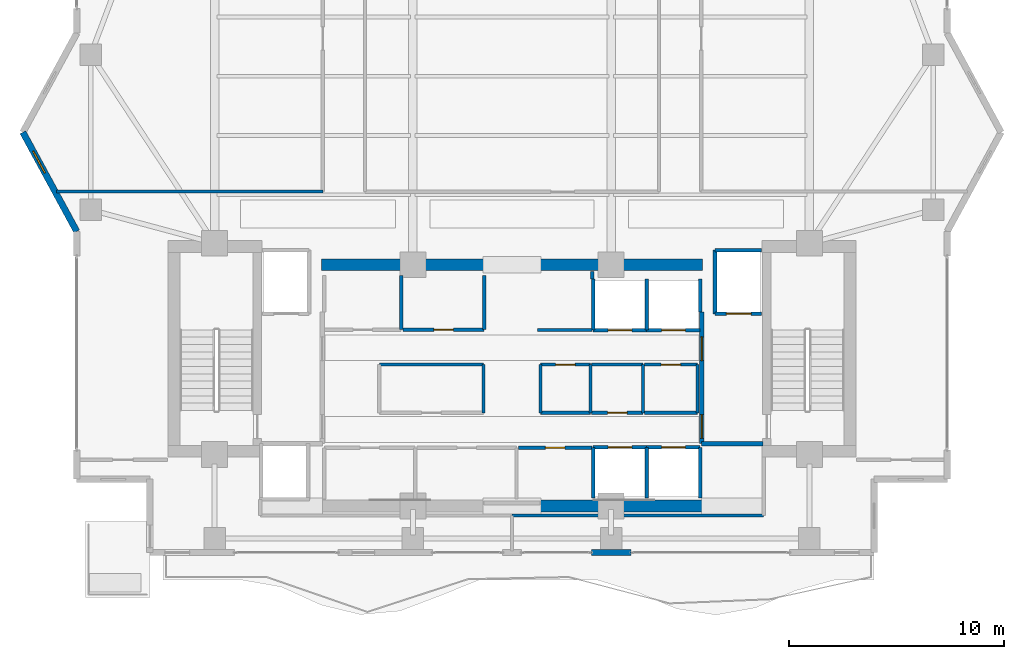
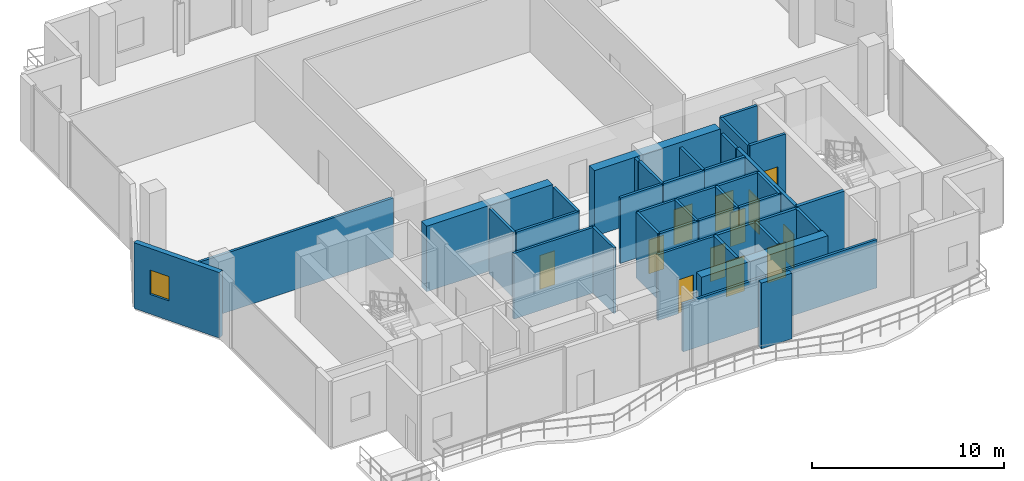
# One storey, part 19 of 24: 40 walls, 12 doors, 1 window, 13 openings.
"""IFC4 building model written with IfcOpenShell, lengths in metres."""

from ifc_helpers import new_model, si_unit, direction, frame, frame_2d, origin, place, context, subcontext, project, spatial, rectangle, extrude, material, layer, layer_set, type_object, element, fill, save


model = new_model("IFC4")

# Units and contexts
model_context = context("Model", 3, precision=1e-05, world=origin(), true_north=direction((0.0, 1.0)))
body_context = subcontext(model_context, "Body", "Model", "MODEL_VIEW")
ifc_project = project(units=[si_unit("LENGTHUNIT", "METRE"), si_unit("AREAUNIT", "SQUARE_METRE"), si_unit("VOLUMEUNIT", "CUBIC_METRE"), si_unit("PLANEANGLEUNIT", "RADIAN"), si_unit("MASSUNIT", "GRAM", prefix="KILO")], contexts=[model_context])

# Site, building, storey
site_placement = place(None, origin())
site = spatial("IfcSite", under=ifc_project, at=site_placement, CompositionType="ELEMENT")
building_placement = place(site_placement, origin())
building = spatial("IfcBuilding", under=site, at=building_placement, Name="Zuhayl Quay Hotel", CompositionType="ELEMENT")
storey_placement = place(building_placement, frame((0.0, 0.0, 284.050048828125)))
storey = spatial("IfcBuildingStorey", under=building, at=storey_placement, Name="L72", CompositionType="ELEMENT", Elevation=284.050048828125)

# Walls
ifc_material_1 = material(Name="Concrete C50/60", Category="concrete")
ifc_layer_1 = layer(ifc_material_1, 0.550048828125, Name="Concrete C50/60", Category="concrete")
ifc_layer_set_1 = layer_set([ifc_layer_1], Name="Concrete C50/60")
wall_type_1 = type_object("IfcWallType", Name="WL_CORE_550", PredefinedType="SHEAR", material=ifc_layer_set_1)
for number, where, z_axis, x_axis, name in (
    (1, (1.25, 2.14990234375, 0.0), (0.0, 0.0, 1.0), (1.0, 0.0, 0.0), "L72 Core Shear Wall CW_SC_E"),
    (2, (-8.85009765625, 13.35009765625, 0.0), (0.0, 0.0, 1.0), (1.0, 0.0, 0.0), "L72 Core Shear Wall CW_NC_W"),
    (3, (1.25, 13.35009765625, 0.0), (0.0, 0.0, 1.0), (1.0, 0.0, 0.0), "L72 Core Shear Wall CW_NC_E"),
):
    element("IfcWall", number, at=place(storey_placement, frame(where, z_axis=z_axis, x_axis=x_axis)), inside=storey, type_object=wall_type_1, Name=name, PredefinedType="SHEAR", context=body_context, shape_type="SweptSolid", body=[
        extrude(rectangle(XDim=7.60009765625, YDim=0.550048828125, at=frame_2d((3.800048828125, 0.0))), origin(), (0.0, 0.0, 1.0), 4.179931640625),
    ])

# Wall, opening, window
ifc_material_2 = material(Name="Precast concrete C45/55", Category="concrete")
ifc_layer_2 = layer(ifc_material_2, 0.300048828125, Name="Precast concrete C45/55", Category="concrete")
ifc_layer_set_2 = layer_set([ifc_layer_2], Name="Precast concrete C45/55")
wall_type_2 = type_object("IfcWallType", Name="WL_EXT_300", PredefinedType="STANDARD", material=ifc_layer_set_2)
wall_1_placement = place(storey_placement, frame((-20.199951171875, 14.89990234375, 0.0), z_axis=(0.0, 0.0, 1.0), x_axis=(-0.477505494629, 0.878628762675, 0.0)))
wall_1 = element("IfcWall", 4, at=wall_1_placement, inside=storey, type_object=wall_type_2, Name="L72 Exterior Precast Wall ENV_L72_EW03", PredefinedType="STANDARD", context=body_context, shape_type="SweptSolid", body=[
    extrude(rectangle(XDim=5.235595703125, YDim=0.300048828125, at=frame_2d((2.61767578125, 0.0))), origin(), (0.0, 0.0, 1.0), 4.179931640625),
])
opening_1_placement = place(wall_1_placement, frame((3.09130859375, 0.0, 1.25)))
opening_1 = element("IfcOpeningElement", 5, at=opening_1_placement, cuts=wall_1, Name="Opening W01N", PredefinedType="OPENING", context=body_context, shape_type="SweptSolid", body=[
    extrude(rectangle(XDim=1.14990234375, YDim=1.550048828125, at=frame_2d((0.574951171875, 0.77490234375))), frame((0.0, 0.159912109375, 0.0), z_axis=(0.0, -1.0, 0.0), x_axis=(1.0, 0.0, 0.0)), (0.0, 0.0, 1.0), 0.320068359375),
])
ifc_material_3 = material(Name="Dark Ceramic-Fritted Solar Glass", Category="glass")
window_type = type_object("IfcWindowType", Name="WN_NOTCH_1350", PartitioningType="SINGLE_PANEL", PredefinedType="WINDOW", material=ifc_material_3)
window_placement = place(opening_1_placement, origin())
window = element("IfcWindow", 6, at=window_placement, inside=storey, type_object=window_type, Name="L72 Corner Notch Window 3", OverallHeight=1.550048828125, OverallWidth=1.14990234375, PartitioningType="SINGLE_PANEL", PredefinedType="WINDOW", context=body_context, shape_type="SweptSolid", body=[
    extrude(rectangle(XDim=1.14990234375, YDim=1.550048828125, at=frame_2d((0.574951171875, 0.77490234375))), frame((0.0, 0.030029296875, 0.0), z_axis=(0.0, -1.0, 0.0), x_axis=(1.0, 0.0, 0.0)), (0.0, 0.0, 1.0), 0.06005859375),
])
fill(opening_1, window)

# Wall
wall_2_placement = place(storey_placement, frame((5.52001953125, 0.0, 0.0), z_axis=(0.0, 0.0, 1.0), x_axis=(-1.0, 0.0, 0.0)))
element("IfcWall", 7, at=wall_2_placement, inside=storey, type_object=wall_type_2, Name="L72 Exterior Precast Wall ENV_L72_S_EW2", PredefinedType="STANDARD", context=body_context, shape_type="SweptSolid", body=[
    extrude(rectangle(XDim=1.840087890625, YDim=0.300048828125, at=frame_2d((0.919921875, 0.0))), origin(), (0.0, 0.0, 1.0), 4.179931640625),
])

# Wall, opening, door
ifc_material_4 = material(Name="Acoustic Gypsum Partition STC-58")
ifc_layer_3 = layer(ifc_material_4, 0.14990234375, Name="Acoustic Gypsum Partition STC-58")
ifc_layer_set_3 = layer_set([ifc_layer_3], Name="Acoustic Gypsum Partition STC-58")
wall_type_3 = type_object("IfcWallType", Name="WL_PART_150", PredefinedType="PARTITIONING", material=ifc_layer_set_3)
wall_3_placement = place(storey_placement, frame((0.2900390625, 4.860107421875, 0.0), z_axis=(0.0, 0.0, 1.0), x_axis=(1.0, 0.0, 0.0)))
wall_3 = element("IfcWall", 8, at=wall_3_placement, inside=storey, type_object=wall_type_3, Name="L72 Partition IW_L72_FMP_S3_N", PredefinedType="PARTITIONING", context=body_context, shape_type="SweptSolid", body=[
    extrude(rectangle(XDim=3.419921875, YDim=0.14990234375, at=frame_2d((1.7099609375, 0.0))), origin(), (0.0, 0.0, 1.0), 4.179931640625),
])
opening_2_placement = place(wall_3_placement, frame((1.260009765625, 0.0, 0.0)))
opening_2 = element("IfcOpeningElement", 9, at=opening_2_placement, cuts=wall_3, Name="Opening D06", PredefinedType="OPENING", context=body_context, shape_type="SweptSolid", body=[
    extrude(rectangle(XDim=0.89990234375, YDim=2.14990234375, at=frame_2d((0.449951171875, 1.074951171875))), frame((0.0, 0.0849609375, 0.0), z_axis=(0.0, -1.0, 0.0), x_axis=(1.0, 0.0, 0.0)), (0.0, 0.0, 1.0), 0.169921875),
])
ifc_material_5 = material(Name="Steel ASTM A992 Grade 50", Category="steel")
door_type_1 = type_object("IfcDoorType", Name="DR_INT_900", OperationType="NOTDEFINED", PredefinedType="DOOR", material=ifc_material_5)
door_1_placement = place(opening_2_placement, origin())
door_1 = element("IfcDoor", 10, at=door_1_placement, inside=storey, type_object=door_type_1, Name="L72 China Linen Store Door", OperationType="SINGLE_SWING_LEFT", OverallHeight=2.14990234375, OverallWidth=0.89990234375, PredefinedType="DOOR", context=body_context, shape_type="SweptSolid", body=[
    extrude(rectangle(XDim=0.89990234375, YDim=2.14990234375, at=frame_2d((0.449951171875, 1.074951171875))), frame((0.0, 0.02490234375, 0.0), z_axis=(0.0, -1.0, 0.0), x_axis=(1.0, 0.0, 0.0)), (0.0, 0.0, 1.0), 0.050048828125),
])
fill(opening_2, door_1)

wall_4_placement = place(storey_placement, frame((-5.06005859375, 10.340087890625, 0.0), z_axis=(0.0, 0.0, 1.0), x_axis=(1.0, 0.0, 0.0)))
wall_4 = element("IfcWall", 11, at=wall_4_placement, inside=storey, type_object=wall_type_3, Name="L72 Partition IW_L72_FMP_N2_S", PredefinedType="PARTITIONING", context=body_context, shape_type="SweptSolid", body=[
    extrude(rectangle(XDim=3.77001953125, YDim=0.14990234375, at=frame_2d((1.885009765625, 0.0))), origin(), (0.0, 0.0, 1.0), 4.179931640625),
])
opening_3_placement = place(wall_4_placement, frame((1.43505859375, 0.0, 0.0)))
opening_3 = element("IfcOpeningElement", 12, at=opening_3_placement, cuts=wall_4, Name="Opening D06", PredefinedType="OPENING", context=body_context, shape_type="SweptSolid", body=[
    extrude(rectangle(XDim=0.89990234375, YDim=2.14990234375, at=frame_2d((0.449951171875, 1.074951171875))), frame((0.0, 0.0849609375, 0.0), z_axis=(0.0, -1.0, 0.0), x_axis=(1.0, 0.0, 0.0)), (0.0, 0.0, 1.0), 0.169921875),
])
door_2_placement = place(opening_3_placement, origin())
door_2 = element("IfcDoor", 13, at=door_2_placement, inside=storey, type_object=door_type_1, Name="L72 High-Zone Linen Bay Door", OperationType="SINGLE_SWING_LEFT", OverallHeight=2.14990234375, OverallWidth=0.89990234375, PredefinedType="DOOR", context=body_context, shape_type="SweptSolid", body=[
    extrude(rectangle(XDim=0.89990234375, YDim=2.14990234375, at=frame_2d((0.449951171875, 1.074951171875))), frame((0.0, 0.02490234375, 0.0), z_axis=(0.0, -1.0, 0.0), x_axis=(1.0, 0.0, 0.0)), (0.0, 0.0, 1.0), 0.050048828125),
])
fill(opening_3, door_2)

wall_5_placement = place(storey_placement, frame((1.320068359375, 8.719970703125, 0.0), z_axis=(0.0, 0.0, 1.0), x_axis=(1.0, 0.0, 0.0)))
wall_5 = element("IfcWall", 14, at=wall_5_placement, inside=storey, type_object=wall_type_3, Name="L72 Partition IW_L72_CORE_E1_N", PredefinedType="PARTITIONING", context=body_context, shape_type="SweptSolid", body=[
    extrude(rectangle(XDim=2.31982421875, YDim=0.14990234375, at=frame_2d((1.159912109375, 0.0))), origin(), (0.0, 0.0, 1.0), 4.179931640625),
])
opening_4_placement = place(wall_5_placement, frame((0.7099609375, 0.0, 0.0)))
opening_4 = element("IfcOpeningElement", 15, at=opening_4_placement, cuts=wall_5, Name="Opening D06", PredefinedType="OPENING", context=body_context, shape_type="SweptSolid", body=[
    extrude(rectangle(XDim=0.89990234375, YDim=2.14990234375, at=frame_2d((0.449951171875, 1.074951171875))), frame((0.0, 0.0849609375, 0.0), z_axis=(0.0, -1.0, 0.0), x_axis=(1.0, 0.0, 0.0)), (0.0, 0.0, 1.0), 0.169921875),
])
door_3_placement = place(opening_4_placement, origin())
door_3 = element("IfcDoor", 16, at=door_3_placement, inside=storey, type_object=door_type_1, Name="L72 Floor Electrical Closet Door", OperationType="SINGLE_SWING_LEFT", OverallHeight=2.14990234375, OverallWidth=0.89990234375, PredefinedType="DOOR", context=body_context, shape_type="SweptSolid", body=[
    extrude(rectangle(XDim=0.89990234375, YDim=2.14990234375, at=frame_2d((0.449951171875, 1.074951171875))), frame((0.0, 0.02490234375, 0.0), z_axis=(0.0, -1.0, 0.0), x_axis=(1.0, 0.0, 0.0)), (0.0, 0.0, 1.0), 0.050048828125),
])
fill(opening_4, door_3)

wall_6_placement = place(storey_placement, frame((3.699951171875, 6.47998046875, 0.0), z_axis=(0.0, 0.0, 1.0), x_axis=(1.0, 0.0, 0.0)))
wall_6 = element("IfcWall", 17, at=wall_6_placement, inside=storey, type_object=wall_type_3, Name="L72 Partition IW_L72_CORE_E2_S", PredefinedType="PARTITIONING", context=body_context, shape_type="SweptSolid", body=[
    extrude(rectangle(XDim=2.380126953125, YDim=0.14990234375, at=frame_2d((1.18994140625, 0.0))), origin(), (0.0, 0.0, 1.0), 4.179931640625),
])
opening_5_placement = place(wall_6_placement, frame((0.739990234375, 0.0, 0.0)))
opening_5 = element("IfcOpeningElement", 18, at=opening_5_placement, cuts=wall_6, Name="Opening D06", PredefinedType="OPENING", context=body_context, shape_type="SweptSolid", body=[
    extrude(rectangle(XDim=0.89990234375, YDim=2.14990234375, at=frame_2d((0.449951171875, 1.074951171875))), frame((0.0, 0.0849609375, 0.0), z_axis=(0.0, -1.0, 0.0), x_axis=(1.0, 0.0, 0.0)), (0.0, 0.0, 1.0), 0.169921875),
])
door_4_placement = place(opening_5_placement, origin())
door_4 = element("IfcDoor", 19, at=door_4_placement, inside=storey, type_object=door_type_1, Name="L72 Data Closet Door", OperationType="SINGLE_SWING_RIGHT", OverallHeight=2.14990234375, OverallWidth=0.89990234375, PredefinedType="DOOR", context=body_context, shape_type="SweptSolid", body=[
    extrude(rectangle(XDim=0.89990234375, YDim=2.14990234375, at=frame_2d((0.449951171875, 1.074951171875))), frame((0.0, 0.02490234375, 0.0), z_axis=(0.0, -1.0, 0.0), x_axis=(1.0, 0.0, 0.0)), (0.0, 0.0, 1.0), 0.050048828125),
])
fill(opening_5, door_4)

wall_7_placement = place(storey_placement, frame((6.139892578125, 8.719970703125, 0.0), z_axis=(0.0, 0.0, 1.0), x_axis=(1.0, 0.0, 0.0)))
wall_7 = element("IfcWall", 20, at=wall_7_placement, inside=storey, type_object=wall_type_3, Name="L72 Partition IW_L72_CORE_E3_N", PredefinedType="PARTITIONING", context=body_context, shape_type="SweptSolid", body=[
    extrude(rectangle(XDim=2.47021484375, YDim=0.14990234375, at=frame_2d((1.235107421875, 0.0))), origin(), (0.0, 0.0, 1.0), 4.179931640625),
])
opening_6_placement = place(wall_7_placement, frame((0.784912109375, 0.0, 0.0)))
opening_6 = element("IfcOpeningElement", 21, at=opening_6_placement, cuts=wall_7, Name="Opening D06", PredefinedType="OPENING", context=body_context, shape_type="SweptSolid", body=[
    extrude(rectangle(XDim=0.89990234375, YDim=2.14990234375, at=frame_2d((0.449951171875, 1.074951171875))), frame((0.0, 0.0849609375, 0.0), z_axis=(0.0, -1.0, 0.0), x_axis=(1.0, 0.0, 0.0)), (0.0, 0.0, 1.0), 0.169921875),
])
door_5_placement = place(opening_6_placement, origin())
door_5 = element("IfcDoor", 22, at=door_5_placement, inside=storey, type_object=door_type_1, Name="L72 Janitor and Cleaners Store Door", OperationType="SINGLE_SWING_LEFT", OverallHeight=2.14990234375, OverallWidth=0.89990234375, PredefinedType="DOOR", context=body_context, shape_type="SweptSolid", body=[
    extrude(rectangle(XDim=0.89990234375, YDim=2.14990234375, at=frame_2d((0.449951171875, 1.074951171875))), frame((0.0, 0.02490234375, 0.0), z_axis=(0.0, -1.0, 0.0), x_axis=(1.0, 0.0, 0.0)), (0.0, 0.0, 1.0), 0.050048828125),
])
fill(opening_6, door_5)

# Walls
for number, where, z_axis, x_axis, name in (
    (23, (-5.139892578125, 10.340087890625, 0.0), (0.0, 0.0, 1.0), (0.0, 1.0, 0.0), "L72 Partition IW_L72_FMP_N1_E"),
    (24, (-1.2900390625, 10.340087890625, 0.0), (0.0, 0.0, 1.0), (0.0, 1.0, 0.0), "L72 Partition IW_L72_FMP_N2_E"),
):
    element("IfcWall", number, at=place(storey_placement, frame(where, z_axis=z_axis, x_axis=x_axis)), inside=storey, type_object=wall_type_3, Name=name, PredefinedType="PARTITIONING", context=body_context, shape_type="SweptSolid", body=[
        extrude(rectangle(XDim=2.52001953125, YDim=0.14990234375, at=frame_2d((1.260009765625, 0.0))), origin(), (0.0, 0.0, 1.0), 4.179931640625),
    ])
wall_8_placement = place(storey_placement, frame((-6.159912109375, 8.719970703125, 0.0), z_axis=(0.0, 0.0, 1.0), x_axis=(1.0, 0.0, 0.0)))
element("IfcWall", 25, at=wall_8_placement, inside=storey, type_object=wall_type_3, Name="L72 Partition IW_L72_CORE_SV_N", PredefinedType="PARTITIONING", context=body_context, shape_type="SweptSolid", body=[
    extrude(rectangle(XDim=4.83984375, YDim=0.14990234375, at=frame_2d((2.419921875, 0.0))), origin(), (0.0, 0.0, 1.0), 4.179931640625),
])
wall_9_placement = place(storey_placement, frame((-1.320068359375, 6.47998046875, 0.0), z_axis=(0.0, 0.0, 1.0), x_axis=(0.0, 1.0, 0.0)))
element("IfcWall", 26, at=wall_9_placement, inside=storey, type_object=wall_type_3, Name="L72 Partition IW_L72_CORE_SV_E", PredefinedType="PARTITIONING", context=body_context, shape_type="SweptSolid", body=[
    extrude(rectangle(XDim=2.239990234375, YDim=0.14990234375, at=frame_2d((1.1201171875, 0.0))), origin(), (0.0, 0.0, 1.0), 4.179931640625),
])
wall_10_placement = place(storey_placement, frame((1.320068359375, 6.47998046875, 0.0), z_axis=(0.0, 0.0, 1.0), x_axis=(1.0, 0.0, 0.0)))
element("IfcWall", 27, at=wall_10_placement, inside=storey, type_object=wall_type_3, Name="L72 Partition IW_L72_CORE_E1_S", PredefinedType="PARTITIONING", context=body_context, shape_type="SweptSolid", body=[
    extrude(rectangle(XDim=2.31982421875, YDim=0.14990234375, at=frame_2d((1.159912109375, 0.0))), origin(), (0.0, 0.0, 1.0), 4.179931640625),
])
for number, where, z_axis, x_axis, name in (
    (28, (1.320068359375, 6.47998046875, 0.0), (0.0, 0.0, 1.0), (0.0, 1.0, 0.0), "L72 Partition IW_L72_CORE_E1_W"),
    (29, (3.639892578125, 6.47998046875, 0.0), (0.0, 0.0, 1.0), (0.0, 1.0, 0.0), "L72 Partition IW_L72_CORE_E1_E"),
):
    element("IfcWall", number, at=place(storey_placement, frame(where, z_axis=z_axis, x_axis=x_axis)), inside=storey, type_object=wall_type_3, Name=name, PredefinedType="PARTITIONING", context=body_context, shape_type="SweptSolid", body=[
        extrude(rectangle(XDim=2.239990234375, YDim=0.14990234375, at=frame_2d((1.1201171875, 0.0))), origin(), (0.0, 0.0, 1.0), 4.179931640625),
    ])
wall_11_placement = place(storey_placement, frame((3.699951171875, 8.719970703125, 0.0), z_axis=(0.0, 0.0, 1.0), x_axis=(1.0, 0.0, 0.0)))
element("IfcWall", 30, at=wall_11_placement, inside=storey, type_object=wall_type_3, Name="L72 Partition IW_L72_CORE_E2_N", PredefinedType="PARTITIONING", context=body_context, shape_type="SweptSolid", body=[
    extrude(rectangle(XDim=2.380126953125, YDim=0.14990234375, at=frame_2d((1.18994140625, 0.0))), origin(), (0.0, 0.0, 1.0), 4.179931640625),
])
wall_12_placement = place(storey_placement, frame((6.080078125, 6.47998046875, 0.0), z_axis=(0.0, 0.0, 1.0), x_axis=(0.0, 1.0, 0.0)))
element("IfcWall", 31, at=wall_12_placement, inside=storey, type_object=wall_type_3, Name="L72 Partition IW_L72_CORE_E2_E", PredefinedType="PARTITIONING", context=body_context, shape_type="SweptSolid", body=[
    extrude(rectangle(XDim=2.239990234375, YDim=0.14990234375, at=frame_2d((1.1201171875, 0.0))), origin(), (0.0, 0.0, 1.0), 4.179931640625),
])
wall_13_placement = place(storey_placement, frame((6.139892578125, 6.47998046875, 0.0), z_axis=(0.0, 0.0, 1.0), x_axis=(1.0, 0.0, 0.0)))
element("IfcWall", 32, at=wall_13_placement, inside=storey, type_object=wall_type_3, Name="L72 Partition IW_L72_CORE_E3_S", PredefinedType="PARTITIONING", context=body_context, shape_type="SweptSolid", body=[
    extrude(rectangle(XDim=2.47021484375, YDim=0.14990234375, at=frame_2d((1.235107421875, 0.0))), origin(), (0.0, 0.0, 1.0), 4.179931640625),
])
wall_14_placement = place(storey_placement, frame((8.610107421875, 6.47998046875, 0.0), z_axis=(0.0, 0.0, 1.0), x_axis=(0.0, 1.0, 0.0)))
element("IfcWall", 33, at=wall_14_placement, inside=storey, type_object=wall_type_3, Name="L72 Partition IW_L72_CORE_E3_E", PredefinedType="PARTITIONING", context=body_context, shape_type="SweptSolid", body=[
    extrude(rectangle(XDim=2.239990234375, YDim=0.14990234375, at=frame_2d((1.1201171875, 0.0))), origin(), (0.0, 0.0, 1.0), 4.179931640625),
])
wall_15_placement = place(storey_placement, frame((1.179931640625, 10.320068359375, 0.0), z_axis=(0.0, 0.0, 1.0), x_axis=(1.0, 0.0, 0.0)))
element("IfcWall", 34, at=wall_15_placement, inside=storey, type_object=wall_type_3, Name="L72 Partition IW_L72_VEST_MP4_S", PredefinedType="PARTITIONING", context=body_context, shape_type="SweptSolid", body=[
    extrude(rectangle(XDim=2.5400390625, YDim=0.14990234375, at=frame_2d((1.27001953125, 0.0))), origin(), (0.0, 0.0, 1.0), 4.179931640625),
])
wall_16_placement = place(storey_placement, frame((3.719970703125, 12.679931640625, 0.0), z_axis=(0.0, 0.0, 1.0), x_axis=(0.0, 1.0, 0.0)))
element("IfcWall", 35, at=wall_16_placement, inside=storey, type_object=wall_type_3, Name="L72 Partition IW_L72_VEST_MP4_E", PredefinedType="PARTITIONING", context=body_context, shape_type="SweptSolid", body=[
    extrude(rectangle(XDim=0.3701171875, YDim=0.14990234375, at=frame_2d((0.18505859375, 0.0))), origin(), (0.0, 0.0, 1.0), 4.179931640625),
])
wall_17_placement = place(storey_placement, frame((0.0, 1.719970703125, 0.0), z_axis=(0.0, 0.0, 1.0), x_axis=(1.0, 0.0, 0.0)))
element("IfcWall", 36, at=wall_17_placement, inside=storey, type_object=wall_type_3, Name="L72 Partition IW_L72_Z4_SUN_SE_SN", PredefinedType="PARTITIONING", context=body_context, shape_type="SweptSolid", body=[
    extrude(rectangle(XDim=11.679931640625, YDim=0.14990234375, at=frame_2d((5.83984375, 0.0))), origin(), (0.0, 0.0, 1.0), 3.079833984375),
])
wall_18_placement = place(storey_placement, frame((-21.1455078125, 16.75, 0.0), z_axis=(0.0, 0.0, 1.0), x_axis=(1.0, 0.0, 0.0)))
element("IfcWall", 37, at=wall_18_placement, inside=storey, type_object=wall_type_3, Name="L72 Partition IW_L72_PRIV_DIN_W_S", PredefinedType="PARTITIONING", context=body_context, shape_type="SweptSolid", body=[
    extrude(rectangle(XDim=12.365478515625, YDim=0.14990234375, at=frame_2d((6.1826171875, 0.0))), origin(), (0.0, 0.0, 1.0), 3.77587890625),
])

# Wall, opening, door
ifc_material_6 = material(Name="Gypsum Fireboard Assembly EI-90")
ifc_layer_4 = layer(ifc_material_6, 0.1650390625, Name="Gypsum Fireboard Assembly EI-90")
ifc_layer_set_4 = layer_set([ifc_layer_4], Name="Gypsum Fireboard Assembly EI-90")
wall_type_4 = type_object("IfcWallType", Name="WL_PART_SHAFT_160", PredefinedType="PARTITIONING", material=ifc_layer_set_4)
wall_19_placement = place(storey_placement, frame((9.419921875, 11.070068359375, 0.0), z_axis=(0.0, 0.0, 1.0), x_axis=(1.0, 0.0, 0.0)))
wall_19 = element("IfcWall", 38, at=wall_19_placement, inside=storey, type_object=wall_type_4, Name="L72 Partition IW_L72_SH_FL2_F", PredefinedType="PARTITIONING", context=body_context, shape_type="SweptSolid", body=[
    extrude(rectangle(XDim=2.16015625, YDim=0.1650390625, at=frame_2d((1.080078125, 0.0))), origin(), (0.0, 0.0, 1.0), 4.179931640625),
])
opening_7_placement = place(wall_19_placement, frame((0.530029296875, 0.0, 0.0)))
opening_7 = element("IfcOpeningElement", 39, at=opening_7_placement, cuts=wall_19, Name="Opening LD2", PredefinedType="OPENING", context=body_context, shape_type="SweptSolid", body=[
    extrude(rectangle(XDim=1.14990234375, YDim=2.25, at=frame_2d((0.574951171875, 1.125))), frame((0.0, 0.092529296875, 0.0), z_axis=(0.0, -1.0, 0.0), x_axis=(1.0, 0.0, 0.0)), (0.0, 0.0, 1.0), 0.18505859375),
])
ifc_material_7 = material(Name="Brushed Stainless Steel", Category="steel")
door_type_2 = type_object("IfcDoorType", Name="DR_LIFT_FF_1100", OperationType="SLIDING_TO_LEFT", PredefinedType="DOOR", material=ifc_material_7)
door_6_placement = place(opening_7_placement, origin())
door_6 = element("IfcDoor", 40, at=door_6_placement, inside=storey, type_object=door_type_2, Name="L72 Lift FL2 Sliding Landing Door", OperationType="SLIDING_TO_LEFT", OverallHeight=2.25, OverallWidth=1.14990234375, PredefinedType="DOOR", context=body_context, shape_type="SweptSolid", body=[
    extrude(rectangle(XDim=1.14990234375, YDim=2.25, at=frame_2d((0.574951171875, 1.125))), frame((0.0, 0.02490234375, 0.0), z_axis=(0.0, -1.0, 0.0), x_axis=(1.0, 0.0, 0.0)), (0.0, 0.0, 1.0), 0.050048828125),
])
fill(opening_7, door_6)

wall_20_placement = place(storey_placement, frame((3.77001953125, 4.8798828125, 0.0), z_axis=(0.0, 0.0, 1.0), x_axis=(1.0, 0.0, 0.0)))
wall_20 = element("IfcWall", 41, at=wall_20_placement, inside=storey, type_object=wall_type_4, Name="L72 Partition IW_L72_SH_HP1_F", PredefinedType="PARTITIONING", context=body_context, shape_type="SweptSolid", body=[
    extrude(rectangle(XDim=2.47998046875, YDim=0.1650390625, at=frame_2d((1.239990234375, 0.0))), origin(), (0.0, 0.0, 1.0), 4.179931640625),
])
opening_8_placement = place(wall_20_placement, frame((0.68994140625, 0.0, 0.0)))
opening_8 = element("IfcOpeningElement", 42, at=opening_8_placement, cuts=wall_20, Name="Opening LD1", PredefinedType="OPENING", context=body_context, shape_type="SweptSolid", body=[
    extrude(rectangle(XDim=1.10009765625, YDim=2.25, at=frame_2d((0.550048828125, 1.125))), frame((0.0, 0.092529296875, 0.0), z_axis=(0.0, -1.0, 0.0), x_axis=(1.0, 0.0, 0.0)), (0.0, 0.0, 1.0), 0.18505859375),
])
door_type_3 = type_object("IfcDoorType", Name="DR_LIFT_PASS_1100", OperationType="SLIDING_TO_LEFT", PredefinedType="DOOR", material=ifc_material_7)
door_7_placement = place(opening_8_placement, origin())
door_7 = element("IfcDoor", 43, at=door_7_placement, inside=storey, type_object=door_type_3, Name="L72 Lift HP1 Sliding Landing Door", OperationType="SLIDING_TO_LEFT", OverallHeight=2.25, OverallWidth=1.10009765625, PredefinedType="DOOR", context=body_context, shape_type="SweptSolid", body=[
    extrude(rectangle(XDim=1.10009765625, YDim=2.25, at=frame_2d((0.550048828125, 1.125))), frame((0.0, 0.02490234375, 0.0), z_axis=(0.0, -1.0, 0.0), x_axis=(1.0, 0.0, 0.0)), (0.0, 0.0, 1.0), 0.050048828125),
])
fill(opening_8, door_7)

wall_21_placement = place(storey_placement, frame((6.25, 4.8798828125, 0.0), z_axis=(0.0, 0.0, 1.0), x_axis=(1.0, 0.0, 0.0)))
wall_21 = element("IfcWall", 44, at=wall_21_placement, inside=storey, type_object=wall_type_4, Name="L72 Partition IW_L72_SH_HP2_F", PredefinedType="PARTITIONING", context=body_context, shape_type="SweptSolid", body=[
    extrude(rectangle(XDim=2.47998046875, YDim=0.1650390625, at=frame_2d((1.239990234375, 0.0))), origin(), (0.0, 0.0, 1.0), 4.179931640625),
])
opening_9_placement = place(wall_21_placement, frame((0.68994140625, 0.0, 0.0)))
opening_9 = element("IfcOpeningElement", 45, at=opening_9_placement, cuts=wall_21, Name="Opening LD1", PredefinedType="OPENING", context=body_context, shape_type="SweptSolid", body=[
    extrude(rectangle(XDim=1.10009765625, YDim=2.25, at=frame_2d((0.550048828125, 1.125))), frame((0.0, 0.092529296875, 0.0), z_axis=(0.0, -1.0, 0.0), x_axis=(1.0, 0.0, 0.0)), (0.0, 0.0, 1.0), 0.18505859375),
])
door_8_placement = place(opening_9_placement, origin())
door_8 = element("IfcDoor", 46, at=door_8_placement, inside=storey, type_object=door_type_3, Name="L72 Lift HP2 Sliding Landing Door", OperationType="SLIDING_TO_LEFT", OverallHeight=2.25, OverallWidth=1.10009765625, PredefinedType="DOOR", context=body_context, shape_type="SweptSolid", body=[
    extrude(rectangle(XDim=1.10009765625, YDim=2.25, at=frame_2d((0.550048828125, 1.125))), frame((0.0, 0.02490234375, 0.0), z_axis=(0.0, -1.0, 0.0), x_axis=(1.0, 0.0, 0.0)), (0.0, 0.0, 1.0), 0.050048828125),
])
fill(opening_9, door_8)

wall_22_placement = place(storey_placement, frame((3.77001953125, 10.320068359375, 0.0), z_axis=(0.0, 0.0, 1.0), x_axis=(1.0, 0.0, 0.0)))
wall_22 = element("IfcWall", 47, at=wall_22_placement, inside=storey, type_object=wall_type_4, Name="L72 Partition IW_L72_SH_HP3_F", PredefinedType="PARTITIONING", context=body_context, shape_type="SweptSolid", body=[
    extrude(rectangle(XDim=2.47998046875, YDim=0.1650390625, at=frame_2d((1.239990234375, 0.0))), origin(), (0.0, 0.0, 1.0), 4.179931640625),
])
opening_10_placement = place(wall_22_placement, frame((0.68994140625, 0.0, 0.0)))
opening_10 = element("IfcOpeningElement", 48, at=opening_10_placement, cuts=wall_22, Name="Opening LD1", PredefinedType="OPENING", context=body_context, shape_type="SweptSolid", body=[
    extrude(rectangle(XDim=1.10009765625, YDim=2.25, at=frame_2d((0.550048828125, 1.125))), frame((0.0, 0.092529296875, 0.0), z_axis=(0.0, -1.0, 0.0), x_axis=(1.0, 0.0, 0.0)), (0.0, 0.0, 1.0), 0.18505859375),
])
door_9_placement = place(opening_10_placement, origin())
door_9 = element("IfcDoor", 49, at=door_9_placement, inside=storey, type_object=door_type_3, Name="L72 Lift HP3 Sliding Landing Door", OperationType="SLIDING_TO_LEFT", OverallHeight=2.25, OverallWidth=1.10009765625, PredefinedType="DOOR", context=body_context, shape_type="SweptSolid", body=[
    extrude(rectangle(XDim=1.10009765625, YDim=2.25, at=frame_2d((0.550048828125, 1.125))), frame((0.0, 0.02490234375, 0.0), z_axis=(0.0, -1.0, 0.0), x_axis=(1.0, 0.0, 0.0)), (0.0, 0.0, 1.0), 0.050048828125),
])
fill(opening_10, door_9)

wall_23_placement = place(storey_placement, frame((6.25, 10.320068359375, 0.0), z_axis=(0.0, 0.0, 1.0), x_axis=(1.0, 0.0, 0.0)))
wall_23 = element("IfcWall", 50, at=wall_23_placement, inside=storey, type_object=wall_type_4, Name="L72 Partition IW_L72_SH_HP4_F", PredefinedType="PARTITIONING", context=body_context, shape_type="SweptSolid", body=[
    extrude(rectangle(XDim=2.47998046875, YDim=0.1650390625, at=frame_2d((1.239990234375, 0.0))), origin(), (0.0, 0.0, 1.0), 4.179931640625),
])
opening_11_placement = place(wall_23_placement, frame((0.68994140625, 0.0, 0.0)))
opening_11 = element("IfcOpeningElement", 51, at=opening_11_placement, cuts=wall_23, Name="Opening LD1", PredefinedType="OPENING", context=body_context, shape_type="SweptSolid", body=[
    extrude(rectangle(XDim=1.10009765625, YDim=2.25, at=frame_2d((0.550048828125, 1.125))), frame((0.0, 0.092529296875, 0.0), z_axis=(0.0, -1.0, 0.0), x_axis=(1.0, 0.0, 0.0)), (0.0, 0.0, 1.0), 0.18505859375),
])
door_10_placement = place(opening_11_placement, origin())
door_10 = element("IfcDoor", 52, at=door_10_placement, inside=storey, type_object=door_type_3, Name="L72 Lift HP4 Sliding Landing Door", OperationType="SLIDING_TO_LEFT", OverallHeight=2.25, OverallWidth=1.10009765625, PredefinedType="DOOR", context=body_context, shape_type="SweptSolid", body=[
    extrude(rectangle(XDim=1.10009765625, YDim=2.25, at=frame_2d((0.550048828125, 1.125))), frame((0.0, 0.02490234375, 0.0), z_axis=(0.0, -1.0, 0.0), x_axis=(1.0, 0.0, 0.0)), (0.0, 0.0, 1.0), 0.050048828125),
])
fill(opening_11, door_10)

# Walls
wall_24_placement = place(storey_placement, frame((9.419921875, 11.070068359375, 0.0), z_axis=(0.0, 0.0, 1.0), x_axis=(0.0, 1.0, 0.0)))
element("IfcWall", 53, at=wall_24_placement, inside=storey, type_object=wall_type_4, Name="L72 Partition IW_L72_SH_FL2_W", PredefinedType="PARTITIONING", context=body_context, shape_type="SweptSolid", body=[
    extrude(rectangle(XDim=2.9599609375, YDim=0.1650390625, at=frame_2d((1.47998046875, 0.0))), origin(), (0.0, 0.0, 1.0), 4.179931640625),
])
wall_25_placement = place(storey_placement, frame((9.419921875, 14.030029296875, 0.0), z_axis=(0.0, 0.0, 1.0), x_axis=(1.0, 0.0, 0.0)))
element("IfcWall", 54, at=wall_25_placement, inside=storey, type_object=wall_type_4, Name="L72 Partition IW_L72_SH_FL2_B", PredefinedType="PARTITIONING", context=body_context, shape_type="SweptSolid", body=[
    extrude(rectangle(XDim=2.16015625, YDim=0.1650390625, at=frame_2d((1.080078125, 0.0))), origin(), (0.0, 0.0, 1.0), 4.179931640625),
])
for number, where, z_axis, x_axis, name in (
    (55, (3.77001953125, 2.52001953125, 0.0), (0.0, 0.0, 1.0), (0.0, 1.0, 0.0), "L72 Partition IW_L72_SH_HP1_W"),
    (56, (6.25, 2.52001953125, 0.0), (0.0, 0.0, 1.0), (0.0, 1.0, 0.0), "L72 Partition IW_L72_SH_HP1_E"),
    (57, (8.72998046875, 2.52001953125, 0.0), (0.0, 0.0, 1.0), (0.0, 1.0, 0.0), "L72 Partition IW_L72_SH_HP2_E"),
    (58, (3.77001953125, 10.320068359375, 0.0), (0.0, 0.0, 1.0), (0.0, 1.0, 0.0), "L72 Partition IW_L72_SH_HP3_W"),
    (59, (6.25, 10.320068359375, 0.0), (0.0, 0.0, 1.0), (0.0, 1.0, 0.0), "L72 Partition IW_L72_SH_HP3_E"),
):
    element("IfcWall", number, at=place(storey_placement, frame(where, z_axis=z_axis, x_axis=x_axis)), inside=storey, type_object=wall_type_4, Name=name, PredefinedType="PARTITIONING", context=body_context, shape_type="SweptSolid", body=[
        extrude(rectangle(XDim=2.35986328125, YDim=0.1650390625, at=frame_2d((1.179931640625, 0.0))), origin(), (0.0, 0.0, 1.0), 4.179931640625),
    ])
wall_26_placement = place(storey_placement, frame((8.72998046875, 11.14990234375, 0.0), z_axis=(0.0, 0.0, 1.0), x_axis=(0.0, 1.0, 0.0)))
element("IfcWall", 60, at=wall_26_placement, inside=storey, type_object=wall_type_4, Name="L72 Partition IW_L72_SH_HP4_E", PredefinedType="PARTITIONING", context=body_context, shape_type="SweptSolid", body=[
    extrude(rectangle(XDim=1.530029296875, YDim=0.1650390625, at=frame_2d((0.76513671875, 0.0))), origin(), (0.0, 0.0, 1.0), 4.179931640625),
])

# Wall, openings, doors
ifc_material_8 = material(Name="Gypsum Fireboard Assembly EI-120")
ifc_layer_5 = layer(ifc_material_8, 0.199951171875, Name="Gypsum Fireboard Assembly EI-120")
ifc_layer_set_5 = layer_set([ifc_layer_5], Name="Gypsum Fireboard Assembly EI-120")
wall_type_5 = type_object("IfcWallType", Name="WL_PART_SHAFT_200", PredefinedType="PARTITIONING", material=ifc_layer_set_5)
wall_27_placement = place(storey_placement, frame((8.800048828125, 11.14990234375, 0.0), z_axis=(0.0, 0.0, 1.0), x_axis=(0.0, -1.0, 0.0)))
wall_27 = element("IfcWall", 61, at=wall_27_placement, inside=storey, type_object=wall_type_5, Name="L72 Partition IW_L72_FSAE_E_W", PredefinedType="PARTITIONING", context=body_context, shape_type="SweptSolid", body=[
    extrude(rectangle(XDim=6.099853515625, YDim=0.199951171875, at=frame_2d((3.0498046875, 0.0))), origin(), (0.0, 0.0, 1.0), 4.179931640625),
])
opening_12_placement = place(wall_27_placement, frame((1.14990234375, 0.0, 0.0)))
opening_12 = element("IfcOpeningElement", 62, at=opening_12_placement, cuts=wall_27, Name="Opening D02", PredefinedType="OPENING", context=body_context, shape_type="SweptSolid", body=[
    extrude(rectangle(XDim=1.10009765625, YDim=2.199951171875, at=frame_2d((0.550048828125, 1.10009765625))), frame((0.0, 0.10986328125, 0.0), z_axis=(0.0, -1.0, 0.0), x_axis=(1.0, 0.0, 0.0)), (0.0, 0.0, 1.0), 0.219970703125),
])
opening_13_placement = place(wall_27_placement, frame((4.75, 0.0, 0.0)))
opening_13 = element("IfcOpeningElement", 63, at=opening_13_placement, cuts=wall_27, Name="Opening D02", PredefinedType="OPENING", context=body_context, shape_type="SweptSolid", body=[
    extrude(rectangle(XDim=1.10009765625, YDim=2.199951171875, at=frame_2d((0.550048828125, 1.10009765625))), frame((0.0, 0.10986328125, 0.0), z_axis=(0.0, -1.0, 0.0), x_axis=(1.0, 0.0, 0.0)), (0.0, 0.0, 1.0), 0.219970703125),
])
door_type_4 = type_object("IfcDoorType", Name="DR_FIRE_90_1100", OperationType="NOTDEFINED", PredefinedType="DOOR", material=ifc_material_5)
door_11_placement = place(opening_12_placement, origin())
door_11 = element("IfcDoor", 64, at=door_11_placement, inside=storey, type_object=door_type_4, Name="L72 FSAE Lobby East North Entry Door", OperationType="SINGLE_SWING_LEFT", OverallHeight=2.199951171875, OverallWidth=1.10009765625, PredefinedType="DOOR", context=body_context, shape_type="SweptSolid", body=[
    extrude(rectangle(XDim=1.10009765625, YDim=2.199951171875, at=frame_2d((0.550048828125, 1.10009765625))), frame((0.0, 0.02490234375, 0.0), z_axis=(0.0, -1.0, 0.0), x_axis=(1.0, 0.0, 0.0)), (0.0, 0.0, 1.0), 0.050048828125),
])
fill(opening_12, door_11)
door_12_placement = place(opening_13_placement, origin())
door_12 = element("IfcDoor", 65, at=door_12_placement, inside=storey, type_object=door_type_4, Name="L72 FSAE Lobby East South Entry Door", OperationType="SINGLE_SWING_RIGHT", OverallHeight=2.199951171875, OverallWidth=1.10009765625, PredefinedType="DOOR", context=body_context, shape_type="SweptSolid", body=[
    extrude(rectangle(XDim=1.10009765625, YDim=2.199951171875, at=frame_2d((0.550048828125, 1.10009765625))), frame((0.0, 0.02490234375, 0.0), z_axis=(0.0, -1.0, 0.0), x_axis=(1.0, 0.0, 0.0)), (0.0, 0.0, 1.0), 0.050048828125),
])
fill(opening_13, door_12)

# Wall
wall_28_placement = place(storey_placement, frame((8.800048828125, 5.050048828125, 0.0), z_axis=(0.0, 0.0, 1.0), x_axis=(1.0, 0.0, 0.0)))
element("IfcWall", 66, at=wall_28_placement, inside=storey, type_object=wall_type_5, Name="L72 Partition IW_L72_FSAE_E_S", PredefinedType="PARTITIONING", context=body_context, shape_type="SweptSolid", body=[
    extrude(rectangle(XDim=2.849853515625, YDim=0.199951171875, at=frame_2d((1.4248046875, 0.0))), origin(), (0.0, 0.0, 1.0), 4.179931640625),
])

save(model, "model.ifc")
